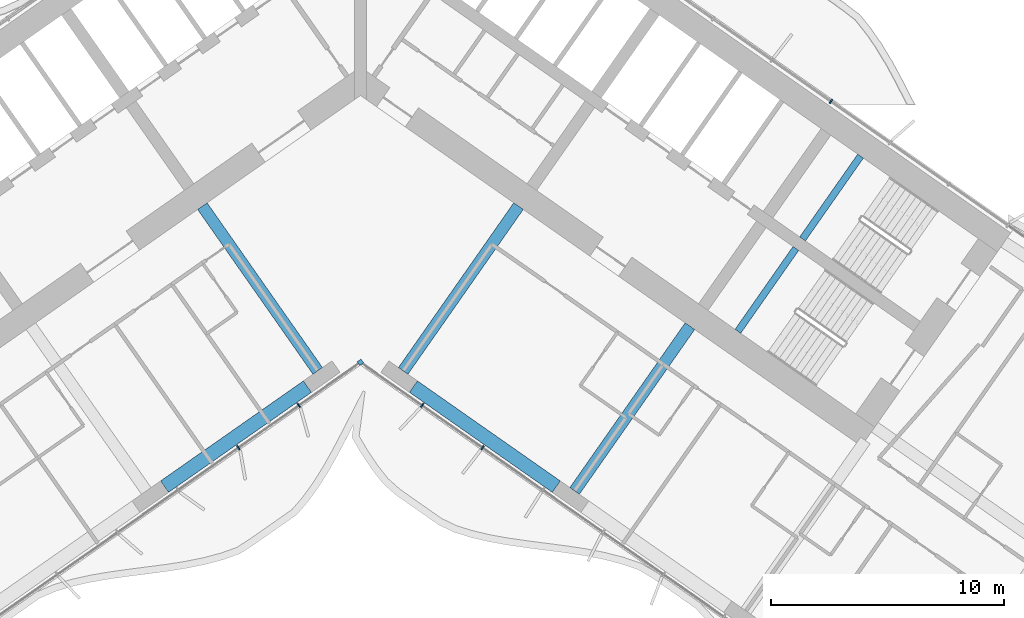
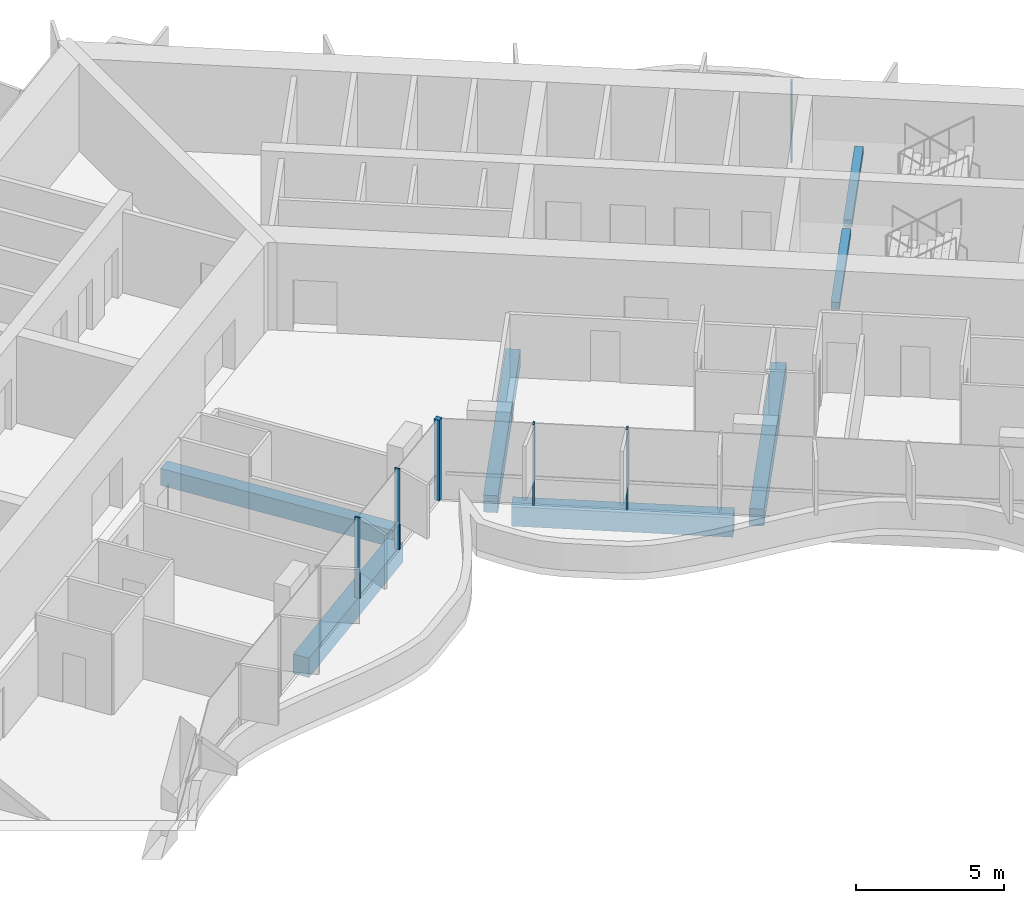
# One storey, part 6 of 25: 7 beams, 6 members, 2 elements without a shape of their own.
"""IFC4 building model written with IfcOpenShell, lengths in metres."""

from ifc_helpers import new_model, si_unit, direction, frame, origin, origin_2d, place, context, subcontext, project, spatial, rectangle, extrude, material, material_profile, profile_set, type_object, element, aggregate, save


model = new_model("IFC4")

# Units and contexts
model_context = context("Model", 3, precision=1e-05, world=origin(), true_north=direction((0.0, 1.0)))
body_context = subcontext(model_context, "Body", "Model", "MODEL_VIEW")
ifc_project = project(units=[si_unit("LENGTHUNIT", "METRE"), si_unit("AREAUNIT", "SQUARE_METRE"), si_unit("VOLUMEUNIT", "CUBIC_METRE"), si_unit("PLANEANGLEUNIT", "RADIAN"), si_unit("MASSUNIT", "GRAM", prefix="KILO")], contexts=[model_context])

# Site, building, storey
site_placement = place(None, origin())
site = spatial("IfcSite", under=ifc_project, at=site_placement, CompositionType="ELEMENT")
building_placement = place(site_placement, origin())
building = spatial("IfcBuilding", under=site, at=building_placement, Name="Tel Ilan Convention Tower", CompositionType="ELEMENT")
storey_placement = place(building_placement, frame((0.0, 0.0, 97.699951171875)))
storey = spatial("IfcBuildingStorey", under=building, at=storey_placement, Name="L20", CompositionType="ELEMENT", Elevation=97.699951171875)

# Beams
ifc_material_1 = material(Name="Concrete C40/50", Category="concrete")
ifc_material_profile_1 = material_profile(ifc_material_1, rectangle(XDim=0.5, YDim=0.699951171875, at=origin_2d()), Name="RC 500x700")
ifc_profile_set_1 = profile_set([ifc_material_profile_1], Name="Concrete C40/50")
beam_type_1 = type_object("IfcBeamType", Name="Beam RC 500x700 Concrete C40/50", PredefinedType="BEAM", material=ifc_profile_set_1)
for number, where, z_axis, x_axis, name in (
    (1, (-1.83740234375, -13.06689453125, -0.6298828125), (-0.573574099654, 0.819153680457, 0.0), (-0.819153680457, -0.573574099654, 0.0), "L20 beam W-W-F1-core"),
    (2, (1.83740234375, -13.06689453125, -0.6298828125), (0.573574099654, 0.819153680457, 0.0), (-0.819153680457, 0.573574099654, 0.0), "L20 beam E-E-F1-core"),
    (3, (9.209716796875, -18.229248046875, -0.6298828125), (0.573574099654, 0.819153680457, 0.0), (-0.819153680457, 0.573574099654, 0.0), "L20 beam E-E-F2-core"),
):
    element("IfcBeam", number, at=place(storey_placement, frame(where, z_axis=z_axis, x_axis=x_axis)), inside=storey, type_object=beam_type_1, Name=name, PredefinedType="BEAM", context=body_context, shape_type="SweptSolid", body=[
        extrude(rectangle(XDim=0.5, YDim=0.699951171875, at=origin_2d()), origin(), (0.0, 0.0, 1.0), 8.64990234375),
    ])
ifc_material_2 = material(Name="Concrete C40/50", Category="concrete")
ifc_material_profile_2 = material_profile(ifc_material_2, rectangle(XDim=0.60009765625, YDim=0.800048828125, at=origin_2d()), Name="RC 600x800")
ifc_profile_set_2 = profile_set([ifc_material_profile_2], Name="Concrete C40/50")
beam_type_2 = type_object("IfcBeamType", Name="Beam RC 600x800 Concrete C40/50", PredefinedType="BEAM", material=ifc_profile_set_2)
for number, where, z_axis, x_axis, name in (
    (4, (-2.279541015625, -13.742919921875, -0.679931640625), (-0.819147803225, -0.57358249317, 0.0), (0.57358249317, -0.819147803225, 0.0), "L20 beam W-W-F1-W-F2"),
    (5, (2.279541015625, -13.742919921875, -0.679931640625), (0.819147803225, -0.57358249317, 0.0), (0.57358249317, 0.819147803225, 0.0), "L20 beam E-E-F1-E-F2"),
):
    element("IfcBeam", number, at=place(storey_placement, frame(where, z_axis=z_axis, x_axis=x_axis)), inside=storey, type_object=beam_type_2, Name=name, PredefinedType="BEAM", context=body_context, shape_type="SweptSolid", body=[
        extrude(rectangle(XDim=0.60009765625, YDim=0.800048828125, at=origin_2d()), origin(), (0.0, 0.0, 1.0), 7.500244140625),
    ])

# Curtain wall, member
ifc_material_3 = material(Name="Aluminium, bronze anodised", Category="aluminium")
curtain_wall_type_1 = type_object("IfcCurtainWallType", Name="CW1 UNITISED CURTAIN WALL, HOTEL TINTED GLASS", PredefinedType="NOTDEFINED", material=ifc_material_3)
curtain_wall_1_placement = place(storey_placement, origin())
curtain_wall_1 = element("IfcCurtainWall", 6, at=curtain_wall_1_placement, inside=storey, type_object=curtain_wall_type_1, Name="Curtain wall CW1-18.06", PredefinedType="NOTDEFINED")
ifc_material_4 = material(Name="Aluminium, bronze anodised", Category="aluminium")
ifc_material_profile_3 = material_profile(ifc_material_4, rectangle(XDim=0.199951171875, YDim=0.199951171875, at=origin_2d()), Name="CW CORNER MULLION 200x200")
ifc_profile_set_3 = profile_set([ifc_material_profile_3], Name="Aluminium, bronze anodised")
member_type_1 = type_object("IfcMemberType", Name="CW CORNER MULLION 200x200", PredefinedType="MULLION", material=ifc_profile_set_3)
member_1_placement = place(storey_placement, frame((0.0, -12.696044921875, 0.0), z_axis=(0.0, 0.0, 1.0), x_axis=(0.819152044289, 0.573576436351, 0.0)))
member_1 = element("IfcMember", 7, at=member_1_placement, type_object=member_type_1, Name="Corner mullion", PredefinedType="MULLION", context=body_context, shape_type="SweptSolid", body=[
    extrude(rectangle(XDim=0.199951171875, YDim=0.199951171875, at=origin_2d()), origin(), (0.0, 0.0, 1.0), 3.320068359375),
])

ifc_material_5 = material(Name="Aluminium, bronze anodised", Category="aluminium")
curtain_wall_type_2 = type_object("IfcCurtainWallType", Name="CW2 STICK CURTAIN WALL, SPANDREL PANELS", PredefinedType="NOTDEFINED", material=ifc_material_5)
curtain_wall_2_placement = place(storey_placement, origin())
curtain_wall_2 = element("IfcCurtainWall", 8, at=curtain_wall_2_placement, inside=storey, type_object=curtain_wall_type_2, Name="Curtain wall CW2-18.01", PredefinedType="NOTDEFINED")
ifc_material_6 = material(Name="Aluminium, bronze anodised", Category="aluminium")
ifc_material_profile_4 = material_profile(ifc_material_6, rectangle(XDim=0.06005859375, YDim=0.199951171875, at=origin_2d()), Name="CW MULLION 60x200")
ifc_profile_set_4 = profile_set([ifc_material_profile_4], Name="Aluminium, bronze anodised")
member_type_2 = type_object("IfcMemberType", Name="CW MULLION 60x200", PredefinedType="MULLION", material=ifc_profile_set_4)
member_2_placement = place(storey_placement, frame((20.238037109375, -1.474853515625, 0.0), z_axis=(0.0, 0.0, 1.0), x_axis=(-0.819152044289, 0.573576436351, 0.0)))
member_2 = element("IfcMember", 9, at=member_2_placement, type_object=member_type_2, Name="Mullion", PredefinedType="MULLION", context=body_context, shape_type="SweptSolid", body=[
    extrude(rectangle(XDim=0.06005859375, YDim=0.199951171875, at=origin_2d()), origin(), (0.0, 0.0, 1.0), 3.320068359375),
])
aggregate(curtain_wall_2, [member_2])

# Member
member_3_placement = place(storey_placement, frame((-5.24755859375, -16.370361328125, 0.0), z_axis=(0.0, 0.0, 1.0), x_axis=(0.819152044289, 0.573576436351, 0.0)))
member_3 = element("IfcMember", 10, at=member_3_placement, type_object=member_type_2, Name="Mullion", PredefinedType="MULLION", context=body_context, shape_type="SweptSolid", body=[
    extrude(rectangle(XDim=0.06005859375, YDim=0.199951171875, at=origin_2d()), origin(), (0.0, 0.0, 1.0), 3.320068359375),
])

member_4_placement = place(storey_placement, frame((-2.65234375, -14.55322265625, 0.0), z_axis=(0.0, 0.0, 1.0), x_axis=(0.819152044289, 0.573576436351, 0.0)))
member_4 = element("IfcMember", 11, at=member_4_placement, type_object=member_type_2, Name="Mullion", PredefinedType="MULLION", context=body_context, shape_type="SweptSolid", body=[
    extrude(rectangle(XDim=0.06005859375, YDim=0.199951171875, at=origin_2d()), origin(), (0.0, 0.0, 1.0), 3.320068359375),
])

member_5_placement = place(storey_placement, frame((2.65234375, -14.55322265625, 0.0), z_axis=(0.0, 0.0, 1.0), x_axis=(0.819152044289, -0.573576436351, 0.0)))
member_5 = element("IfcMember", 12, at=member_5_placement, type_object=member_type_2, Name="Mullion", PredefinedType="MULLION", context=body_context, shape_type="SweptSolid", body=[
    extrude(rectangle(XDim=0.06005859375, YDim=0.199951171875, at=origin_2d()), origin(), (0.0, 0.0, 1.0), 3.320068359375),
])

member_6_placement = place(storey_placement, frame((5.24755859375, -16.370361328125, 0.0), z_axis=(0.0, 0.0, 1.0), x_axis=(0.819152044289, -0.573576436351, 0.0)))
member_6 = element("IfcMember", 13, at=member_6_placement, type_object=member_type_2, Name="Mullion", PredefinedType="MULLION", context=body_context, shape_type="SweptSolid", body=[
    extrude(rectangle(XDim=0.06005859375, YDim=0.199951171875, at=origin_2d()), origin(), (0.0, 0.0, 1.0), 3.320068359375),
])

aggregate(curtain_wall_1, [member_3, member_4, member_1, member_5, member_6])

# Beams
ifc_material_7 = material(Name="Concrete C40/50", Category="concrete")
ifc_material_profile_5 = material_profile(ifc_material_7, rectangle(XDim=0.300048828125, YDim=0.300048828125, at=origin_2d()), Name="RC 300x300")
ifc_profile_set_5 = profile_set([ifc_material_profile_5], Name="Concrete C40/50")
beam_type_3 = type_object("IfcBeamType", Name="Landing Beam RC 300x300 Concrete C40/50", PredefinedType="BEAM", material=ifc_profile_set_5)
beam_1_placement = place(storey_placement, frame((21.5087890625, -3.829345703125, 1.449951171875), z_axis=(-0.57356780395, -0.819158088694, 0.0), x_axis=(0.819158088694, -0.57356780395, 0.0)))
element("IfcBeam", 14, at=beam_1_placement, inside=storey, type_object=beam_type_3, Name="S3 landing beam L20.1", PredefinedType="BEAM", context=body_context, shape_type="SweptSolid", body=[
    extrude(rectangle(XDim=0.300048828125, YDim=0.300048828125, at=origin_2d()), origin(), (0.0, 0.0, 1.0), 4.35009765625),
])
beam_2_placement = place(storey_placement, frame((18.726806640625, -7.80224609375, 1.449951171875), z_axis=(-0.573594173421, -0.819139624372, 0.0), x_axis=(0.819139624372, -0.573594173421, 0.0)))
element("IfcBeam", 15, at=beam_2_placement, inside=storey, type_object=beam_type_3, Name="S4 landing beam L20.1", PredefinedType="BEAM", context=body_context, shape_type="SweptSolid", body=[
    extrude(rectangle(XDim=0.300048828125, YDim=0.300048828125, at=origin_2d()), origin(), (0.0, 0.0, 1.0), 4.349853515625),
])

save(model, "model.ifc")
